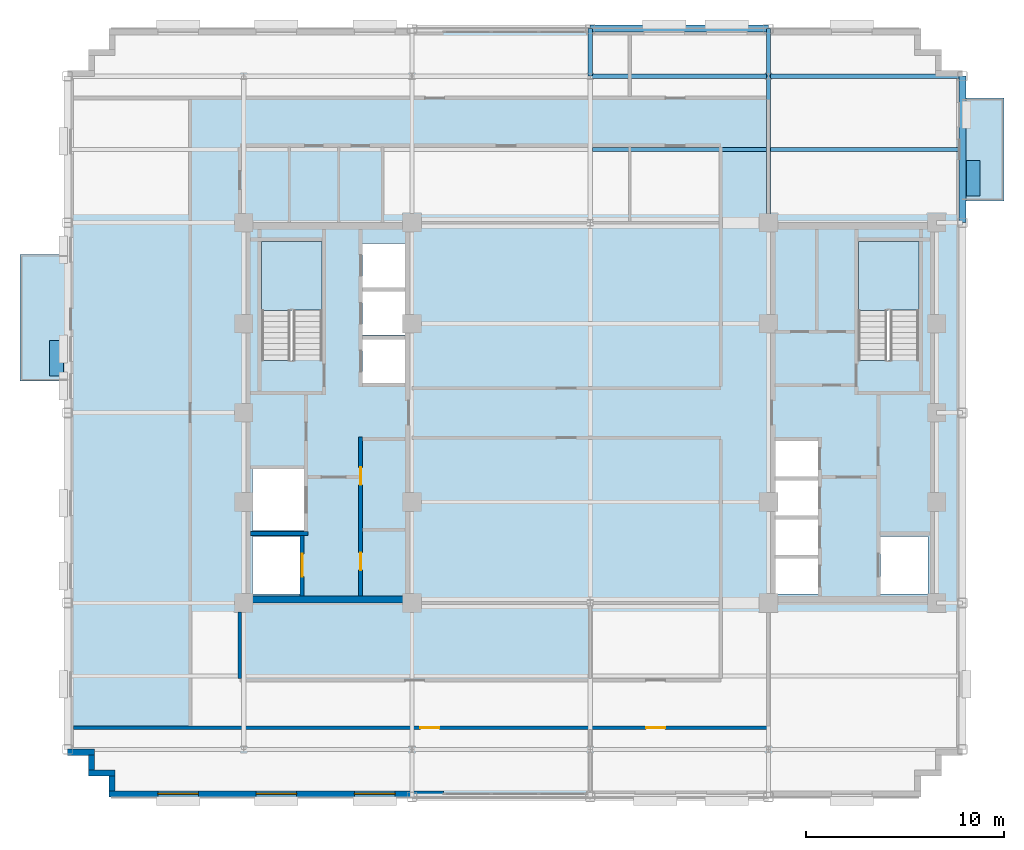
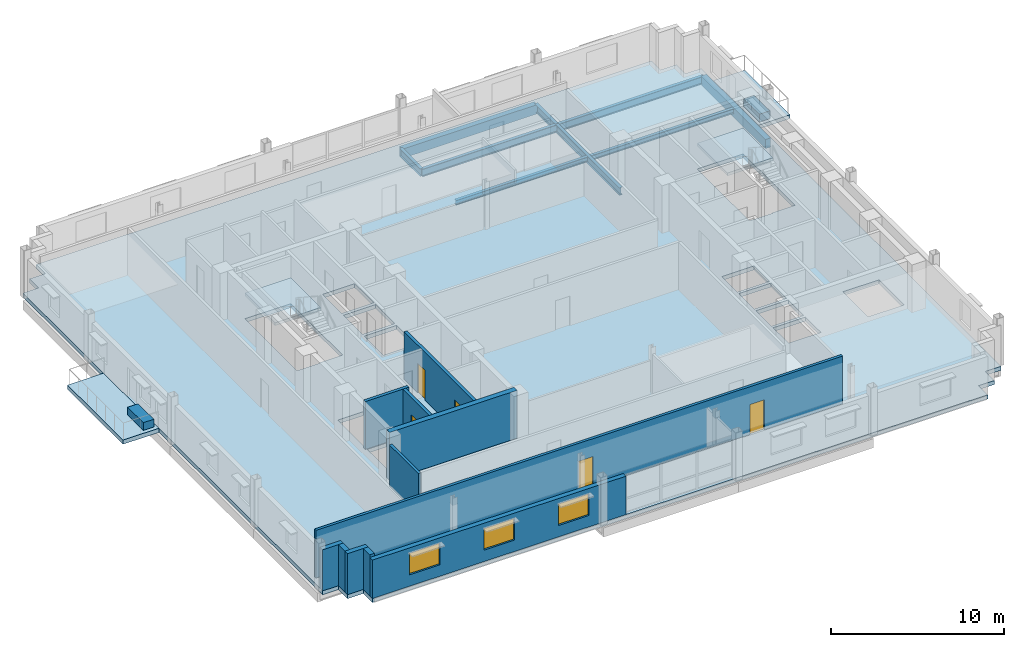
# One storey, part 5 of 15: 11 walls, 9 beams, 5 doors, 5 slabs, 3 windows, 2 plates, 8 openings, 2 elements without a shape of their own.
"""IFC4 building model written with IfcOpenShell, lengths in metres."""

from ifc_helpers import new_model, si_unit, direction, frame, frame_2d, origin, origin_2d, place, context, subcontext, project, spatial, polyline, rectangle, i_section, outline, extrude, source, transform, mapped, material, layer, layer_set, material_profile, profile_set, type_object, type_shapes, element, fill, aggregate, save


model = new_model("IFC4")

# Units and contexts
model_context = context("Model", 3, precision=1e-05, world=origin(), true_north=direction((0.0, 1.0)))
body_context = subcontext(model_context, "Body", "Model", "MODEL_VIEW")
ifc_project = project(units=[si_unit("LENGTHUNIT", "METRE"), si_unit("AREAUNIT", "SQUARE_METRE"), si_unit("VOLUMEUNIT", "CUBIC_METRE"), si_unit("PLANEANGLEUNIT", "RADIAN"), si_unit("MASSUNIT", "GRAM", prefix="KILO")], contexts=[model_context])

# Site, building, storey
site_placement = place(None, origin())
site = spatial("IfcSite", under=ifc_project, at=site_placement, CompositionType="ELEMENT")
building_placement = place(site_placement, origin())
building = spatial("IfcBuilding", under=site, at=building_placement, Name="Nuvemarco Arch Tower", CompositionType="ELEMENT")
storey_placement = place(building_placement, frame((0.0, 0.0, 223.75)))
storey = spatial("IfcBuildingStorey", under=building, at=storey_placement, Name="L59", CompositionType="ELEMENT", Elevation=223.75)

# Beams
ifc_material_1 = material(Name="Steel S355", Category="steel")
ifc_material_profile_1 = material_profile(ifc_material_1, i_section(OverallWidth=0.2109375, OverallDepth=0.5390625, WebThickness=0.01171875, FlangeThickness=0.018798828125, FilletRadius=0.01611328125, at=origin_2d()), Name="W530x109")
ifc_profile_set_1 = profile_set([ifc_material_profile_1], Name="Steel S355")
beam_type_1 = type_object("IfcBeamType", Name="BM-GIRD-530", PredefinedType="BEAM", material=ifc_profile_set_1)
beam_1_placement = place(storey_placement, frame((0.0, 17.0, -0.549560546875), z_axis=(0.0, 1.0, 0.0), x_axis=(-1.0, 0.0, 0.0)))
element("IfcBeam", 1, at=beam_1_placement, inside=storey, type_object=beam_type_1, Name="L59 structural beam BGNS_L59_0_+0.0_+17.0", PredefinedType="BEAM", context=body_context, shape_type="SweptSolid", body=[
    extrude(i_section(OverallWidth=0.2109375, OverallDepth=0.5390625, WebThickness=0.01171875, FlangeThickness=0.018798828125, FilletRadius=0.01611328125, at=origin_2d()), origin(), (0.0, 0.0, 1.0), 2.39990234375),
])
beam_2_placement = place(storey_placement, frame((9.0, 9.60009765625, -0.549560546875), z_axis=(0.0, 1.0, 0.0), x_axis=(-1.0, 0.0, 0.0)))
element("IfcBeam", 2, at=beam_2_placement, inside=storey, type_object=beam_type_1, Name="L59 structural beam BGNS_L59_0_+9.0_+9.6", PredefinedType="BEAM", context=body_context, shape_type="SweptSolid", body=[
    extrude(i_section(OverallWidth=0.2109375, OverallDepth=0.5390625, WebThickness=0.01171875, FlangeThickness=0.018798828125, FilletRadius=0.01611328125, at=origin_2d()), origin(), (0.0, 0.0, 1.0), 7.39990234375),
])
beam_3_placement = place(storey_placement, frame((9.0, 17.0, -0.549560546875), z_axis=(0.0, 1.0, 0.0), x_axis=(-1.0, 0.0, 0.0)))
element("IfcBeam", 3, at=beam_3_placement, inside=storey, type_object=beam_type_1, Name="L59 structural beam BGNS_L59_0_+9.0_+17.0", PredefinedType="BEAM", context=body_context, shape_type="SweptSolid", body=[
    extrude(i_section(OverallWidth=0.2109375, OverallDepth=0.5390625, WebThickness=0.01171875, FlangeThickness=0.018798828125, FilletRadius=0.01611328125, at=origin_2d()), origin(), (0.0, 0.0, 1.0), 2.39990234375),
])
beam_4_placement = place(storey_placement, frame((0.0, 17.0, -0.549560546875), z_axis=(1.0, 0.0, 0.0), x_axis=(0.0, 1.0, 0.0)))
element("IfcBeam", 4, at=beam_4_placement, inside=storey, type_object=beam_type_1, Name="L59 structural beam BGEW_L59_0_+17.0_+0.0", PredefinedType="BEAM", context=body_context, shape_type="SweptSolid", body=[
    extrude(i_section(OverallWidth=0.2109375, OverallDepth=0.5390625, WebThickness=0.01171875, FlangeThickness=0.018798828125, FilletRadius=0.01611328125, at=origin_2d()), origin(), (0.0, 0.0, 1.0), 9.0),
])
beam_5_placement = place(storey_placement, frame((9.0, 17.0, -0.549560546875), z_axis=(1.0, 0.0, 0.0), x_axis=(0.0, 1.0, 0.0)))
element("IfcBeam", 5, at=beam_5_placement, inside=storey, type_object=beam_type_1, Name="L59 structural beam BGEW_L59_0_+17.0_+9.0", PredefinedType="BEAM", context=body_context, shape_type="SweptSolid", body=[
    extrude(i_section(OverallWidth=0.2109375, OverallDepth=0.5390625, WebThickness=0.01171875, FlangeThickness=0.018798828125, FilletRadius=0.01611328125, at=origin_2d()), origin(), (0.0, 0.0, 1.0), 9.800048828125),
])
ifc_material_profile_2 = material_profile(ifc_material_1, i_section(OverallWidth=0.202880859375, OverallDepth=0.346923828125, WebThickness=0.0078125, FlangeThickness=0.013427734375, FilletRadius=0.014892578125, at=origin_2d()), Name="W360x64")
ifc_profile_set_2 = profile_set([ifc_material_profile_2], Name="Steel S355")
beam_type_2 = type_object("IfcBeamType", Name="BM-JOIST-360", PredefinedType="JOIST", material=ifc_profile_set_2)
beam_6_placement = place(storey_placement, frame((0.10546875, 13.300048828125, -0.45361328125), z_axis=(1.0, 0.0, 0.0), x_axis=(0.0, 1.0, 0.0)))
element("IfcBeam", 6, at=beam_6_placement, inside=storey, type_object=beam_type_2, Name="L59 structural beam BJ_L59_0_+13.3_+0.0", PredefinedType="JOIST", context=body_context, shape_type="SweptSolid", body=[
    extrude(i_section(OverallWidth=0.202880859375, OverallDepth=0.346923828125, WebThickness=0.0078125, FlangeThickness=0.013427734375, FilletRadius=0.014892578125, at=origin_2d()), origin(), (0.0, 0.0, 1.0), 8.7890625),
])
beam_7_placement = place(storey_placement, frame((9.10546875, 13.300048828125, -0.45361328125), z_axis=(1.0, 0.0, 0.0), x_axis=(0.0, 1.0, 0.0)))
element("IfcBeam", 7, at=beam_7_placement, inside=storey, type_object=beam_type_2, Name="L59 structural beam BJ_L59_0_+13.3_+9.0", PredefinedType="JOIST", context=body_context, shape_type="SweptSolid", body=[
    extrude(i_section(OverallWidth=0.202880859375, OverallDepth=0.346923828125, WebThickness=0.0078125, FlangeThickness=0.013427734375, FilletRadius=0.014892578125, at=origin_2d()), origin(), (0.0, 0.0, 1.0), 9.51953125),
])
ifc_material_2 = material(Name="Precast concrete C45/55", Category="concrete")
ifc_material_profile_3 = material_profile(ifc_material_2, rectangle(XDim=0.35009765625, YDim=0.64990234375, at=origin_2d()), Name="PC-SP-350x650")
ifc_profile_set_3 = profile_set([ifc_material_profile_3], Name="Precast concrete C45/55")
beam_type_3 = type_object("IfcBeamType", Name="BM-SPAN-RC", PredefinedType="SPANDREL", material=ifc_profile_set_3)
beam_8_placement = place(storey_placement, frame((18.800048828125, 9.60009765625, -0.60498046875), z_axis=(0.0, 1.0, 0.0), x_axis=(-1.0, 0.0, 0.0)))
element("IfcBeam", 8, at=beam_8_placement, inside=storey, type_object=beam_type_3, Name="L59 structural beam BGNS_L59_0_+18.8_+9.6", PredefinedType="SPANDREL", context=body_context, shape_type="SweptSolid", body=[
    extrude(rectangle(XDim=0.35009765625, YDim=0.64990234375, at=origin_2d()), origin(), (0.0, 0.0, 1.0), 7.39990234375),
])
beam_9_placement = place(storey_placement, frame((0.0, 19.39990234375, -0.60498046875), z_axis=(1.0, 0.0, 0.0), x_axis=(0.0, 1.0, 0.0)))
element("IfcBeam", 9, at=beam_9_placement, inside=storey, type_object=beam_type_3, Name="L59 structural beam BGEW_L59_0_+19.4_+0.0", PredefinedType="SPANDREL", context=body_context, shape_type="SweptSolid", body=[
    extrude(rectangle(XDim=0.35009765625, YDim=0.64990234375, at=origin_2d()), origin(), (0.0, 0.0, 1.0), 9.0),
])

# Slab
ifc_material_3 = material(Name="Concrete C50/60", Category="concrete")
ifc_layer_1 = layer(ifc_material_3, 0.280029296875, Name="SL-FLR-280")
ifc_layer_set_1 = layer_set([ifc_layer_1], Name="Concrete C50/60")
slab_type_1 = type_object("IfcSlabType", Name="SL-FLR-280", PredefinedType="FLOOR", material=ifc_layer_set_1)
slab_1_placement = place(storey_placement, frame((0.0, 0.0, -0.280029296875)))
element("IfcSlab", 10, at=slab_1_placement, inside=storey, type_object=slab_type_1, Name="L59 structural floor slab", PredefinedType="FLOOR", context=body_context, shape_type="SweptSolid", body=[
    extrude(outline(polyline([(-24.300048828125, -19.39990234375), (16.699951171875, -19.39990234375), (16.699951171875, -18.35009765625), (17.75, -18.35009765625), (17.75, -17.300048828125), (18.800048828125, -17.300048828125), (18.800048828125, 17.300048828125), (17.75, 17.300048828125), (17.75, 18.35009765625), (16.699951171875, 18.35009765625), (16.699951171875, 19.39990234375), (-24.300048828125, 19.39990234375), (-24.300048828125, 18.35009765625), (-25.35009765625, 18.35009765625), (-25.35009765625, 17.300048828125), (-26.39990234375, 17.300048828125), (-26.39990234375, -17.300048828125), (-25.35009765625, -17.300048828125), (-25.35009765625, -18.35009765625), (-24.300048828125, -18.35009765625), (-24.300048828125, -19.39990234375)]), holes=[polyline([(-13.5400390625, 2.669921875), (-13.5400390625, 8.64990234375), (-16.60009765625, 8.64990234375), (-16.60009765625, 2.630615234375), (-15.070068359375, 2.630615234375), (-15.070068359375, 2.669921875), (-13.5400390625, 2.669921875)]), polyline([(16.60009765625, 2.669921875), (16.60009765625, 8.64990234375), (13.5400390625, 8.64990234375), (13.5400390625, 2.630615234375), (15.070068359375, 2.630615234375), (15.070068359375, 2.669921875), (16.60009765625, 2.669921875)]), polyline([(-17.050048828125, -9.14990234375), (-14.64990234375, -9.14990234375), (-14.64990234375, -6.25), (-17.050048828125, -6.25), (-17.050048828125, -9.14990234375)]), polyline([(-17.050048828125, -5.949951171875), (-14.449951171875, -5.949951171875), (-14.449951171875, -2.85009765625), (-17.050048828125, -2.85009765625), (-17.050048828125, -5.949951171875)]), polyline([(-11.5, 1.5), (-9.35009765625, 1.5), (-9.35009765625, 3.699951171875), (-11.5, 3.699951171875), (-11.5, 1.5)]), polyline([(-11.5, 3.919921875), (-9.35009765625, 3.919921875), (-9.35009765625, 6.1201171875), (-11.5, 6.1201171875), (-11.5, 3.919921875)]), polyline([(-11.5, 6.340087890625), (-9.35009765625, 6.340087890625), (-9.35009765625, 8.5400390625), (-11.5, 8.5400390625), (-11.5, 6.340087890625)]), polyline([(14.64990234375, -9.14990234375), (17.050048828125, -9.14990234375), (17.050048828125, -6.25), (14.64990234375, -6.25), (14.64990234375, -9.14990234375)]), polyline([(9.35009765625, -9.14990234375), (11.5, -9.14990234375), (11.5, -7.3701171875), (9.35009765625, -7.3701171875), (9.35009765625, -9.14990234375)]), polyline([(9.35009765625, -7.169921875), (11.5, -7.169921875), (11.5, -5.389892578125), (9.35009765625, -5.389892578125), (9.35009765625, -7.169921875)]), polyline([(9.35009765625, -5.18994140625), (11.5, -5.18994140625), (11.5, -3.409912109375), (9.35009765625, -3.409912109375), (9.35009765625, -5.18994140625)]), polyline([(9.35009765625, -3.2099609375), (11.5, -3.2099609375), (11.5, -1.429931640625), (9.35009765625, -1.429931640625), (9.35009765625, -3.2099609375)])]), origin(), (0.0, 0.0, 1.0), 0.280029296875),
])

# Stair, slab
stair_type = type_object("IfcStairType", Name="ST-CORE-20R", PredefinedType="HALF_TURN_STAIR", material=ifc_material_2)
stair_1_placement = place(storey_placement, origin())
stair_1 = element("IfcStair", 11, at=stair_1_placement, inside=storey, type_object=stair_type, Name="L59 Protected Exit Stair ST-1", PredefinedType="HALF_TURN_STAIR")
ifc_layer_2 = layer(ifc_material_2, 0.199951171875, Name="SL-LANDING-200")
ifc_layer_set_2 = layer_set([ifc_layer_2], Name="Precast concrete C45/55")
slab_type_2 = type_object("IfcSlabType", Name="SL-LANDING-200", PredefinedType="LANDING", material=ifc_layer_set_2)
slab_2_placement = place(storey_placement, frame((0.0, 0.0, 1.625)))
slab_2 = element("IfcSlab", 12, at=slab_2_placement, type_object=slab_type_2, Name="ST-20R landing 1", PredefinedType="LANDING", context=body_context, shape_type="SweptSolid", body=[
    extrude(outline(polyline([(-13.5400390625, 5.189453125), (-13.5400390625, 8.64990234375), (-16.60009765625, 8.64990234375), (-16.60009765625, 5.169921875), (-15.070068359375, 5.169921875), (-15.070068359375, 5.189453125), (-13.5400390625, 5.189453125)])), origin(), (0.0, 0.0, 1.0), 0.199951171875),
])
aggregate(stair_1, [slab_2])

stair_2_placement = place(storey_placement, origin())
stair_2 = element("IfcStair", 13, at=stair_2_placement, inside=storey, type_object=stair_type, Name="L59 Protected Exit Stair ST-2", PredefinedType="HALF_TURN_STAIR")
slab_3_placement = place(storey_placement, frame((0.0, 0.0, 1.625)))
slab_3 = element("IfcSlab", 14, at=slab_3_placement, type_object=slab_type_2, Name="ST-20R landing 1", PredefinedType="LANDING", context=body_context, shape_type="SweptSolid", body=[
    extrude(outline(polyline([(16.60009765625, 5.189453125), (16.60009765625, 8.64990234375), (13.5400390625, 8.64990234375), (13.5400390625, 5.169921875), (15.070068359375, 5.169921875), (15.070068359375, 5.189453125), (16.60009765625, 5.189453125)])), origin(), (0.0, 0.0, 1.0), 0.199951171875),
])
aggregate(stair_2, [slab_3])

# Slabs
ifc_layer_3 = layer(ifc_material_3, 0.264892578125, Name="SL-TB1")
ifc_layer_set_3 = layer_set([ifc_layer_3], Name="Concrete C50/60")
slab_type_3 = type_object("IfcSlabType", Name="SL-TB1", PredefinedType="FLOOR", material=ifc_layer_set_3)
slab_4_placement = place(storey_placement, frame((0.0, 0.0, -0.264892578125)))
element("IfcSlab", 15, at=slab_4_placement, inside=storey, type_object=slab_type_3, Name="L59 outdoor tree balcony slab 2", PredefinedType="FLOOR", context=body_context, shape_type="SweptSolid", body=[
    extrude(outline(polyline([(18.800048828125, 10.699951171875), (20.89990234375, 10.699951171875), (20.89990234375, 15.89990234375), (18.800048828125, 15.89990234375), (18.800048828125, 10.699951171875)])), origin(), (0.0, 0.0, 1.0), 0.264892578125),
])
ifc_layer_4 = layer(ifc_material_3, 0.294921875, Name="SL-TR4")
ifc_layer_set_4 = layer_set([ifc_layer_4], Name="Concrete C50/60")
slab_type_4 = type_object("IfcSlabType", Name="SL-TR4", PredefinedType="FLOOR", material=ifc_layer_set_4)
slab_5_placement = place(storey_placement, frame((0.0, 0.0, -0.294921875)))
element("IfcSlab", 16, at=slab_5_placement, inside=storey, type_object=slab_type_4, Name="L59 outdoor spiral terrace slab 1", PredefinedType="FLOOR", context=body_context, shape_type="SweptSolid", body=[
    extrude(outline(polyline([(-28.800048828125, 1.60009765625), (-26.39990234375, 1.60009765625), (-26.39990234375, 8.0), (-28.800048828125, 8.0), (-28.800048828125, 1.60009765625)])), origin(), (0.0, 0.0, 1.0), 0.294921875),
])

# Plates
ifc_layer_5 = layer(ifc_material_2, 0.550048828125, Name="Tree Balcony Structural Planter")
ifc_layer_set_5 = layer_set([ifc_layer_5], Name="Precast concrete C45/55")
plate_type = type_object("IfcPlateType", Name="Tree Balcony Structural Planter", PredefinedType="USERDEFINED", material=ifc_layer_set_5)
shared_shape_1 = source(origin(), body_context, "Body", "SweptSolid", [
    extrude(rectangle(XDim=1.800048828125, YDim=0.699951171875, at=origin_2d()), origin(), (0.0, 0.0, 1.0), 0.550048828125),
])
type_shapes(plate_type, [shared_shape_1])
for number, where, z_axis, x_axis, name in (
    (17, (-26.949951171875, 2.75, 0.0), (0.0, 0.0, 1.0), (0.0, 1.0, 0.0), "L59 Tree Balcony Structural Planter"),
    (18, (19.35009765625, 11.85009765625, 0.0), (0.0, 0.0, 1.0), (0.0, 1.0, 0.0), "L59 Tree Balcony Structural Planter"),
):
    element("IfcPlate", number, at=place(storey_placement, frame(where, z_axis=z_axis, x_axis=x_axis)), inside=storey, type_object=plate_type, Name=name, ObjectType="PLANTER", PredefinedType="USERDEFINED", context=body_context, shape_type="MappedRepresentation", body=[
        mapped(shared_shape_1, transform((0.0, 0.0, 0.0), scale=1.0)),
    ])

# Wall, openings, windows
ifc_layer_6 = layer(ifc_material_2, 0.31005859375, Name="EW-UPP-310")
ifc_layer_set_6 = layer_set([ifc_layer_6], Name="Precast concrete C45/55")
wall_type_1 = type_object("IfcWallType", Name="EW-UPP-310", PredefinedType="STANDARD", material=ifc_layer_set_6)
wall_1_placement = place(storey_placement, frame((-24.300048828125, -19.2451171875, 0.0), z_axis=(0.0, 0.0, 1.0), x_axis=(1.0, 0.0, 0.0)))
wall_1 = element("IfcWall", 19, at=wall_1_placement, inside=storey, type_object=wall_type_1, Name="L59 exterior precast pier wall south left", PredefinedType="STANDARD", context=body_context, shape_type="SweptSolid", body=[
    extrude(rectangle(XDim=16.900146484375, YDim=0.31005859375, at=frame_2d((8.4501953125, 0.0))), origin(), (0.0, 0.0, 1.0), 2.705078125),
])
opening_1_placement = place(wall_1_placement, frame((2.458251953125, 0.0, 0.800048828125)))
opening_1 = element("IfcOpeningElement", 20, at=opening_1_placement, cuts=wall_1, Name="Opening WN-12", PredefinedType="OPENING", context=body_context, shape_type="SweptSolid", body=[
    extrude(rectangle(XDim=2.050048828125, YDim=1.52001953125, at=frame_2d((1.02490234375, 0.760009765625))), frame((0.0, 0.1650390625, 0.0), z_axis=(0.0, -1.0, 0.0), x_axis=(1.0, 0.0, 0.0)), (0.0, 0.0, 1.0), 0.330078125),
])
opening_2_placement = place(wall_1_placement, frame((7.425048828125, 0.0, 0.800048828125)))
opening_2 = element("IfcOpeningElement", 21, at=opening_2_placement, cuts=wall_1, Name="Opening WN-12", PredefinedType="OPENING", context=body_context, shape_type="SweptSolid", body=[
    extrude(rectangle(XDim=2.050048828125, YDim=1.52001953125, at=frame_2d((1.02490234375, 0.760009765625))), frame((0.0, 0.1650390625, 0.0), z_axis=(0.0, -1.0, 0.0), x_axis=(1.0, 0.0, 0.0)), (0.0, 0.0, 1.0), 0.330078125),
])
opening_3_placement = place(wall_1_placement, frame((12.3916015625, 0.0, 0.800048828125)))
opening_3 = element("IfcOpeningElement", 22, at=opening_3_placement, cuts=wall_1, Name="Opening WN-12", PredefinedType="OPENING", context=body_context, shape_type="SweptSolid", body=[
    extrude(rectangle(XDim=2.050048828125, YDim=1.52001953125, at=frame_2d((1.02490234375, 0.760009765625))), frame((0.0, 0.1650390625, 0.0), z_axis=(0.0, -1.0, 0.0), x_axis=(1.0, 0.0, 0.0)), (0.0, 0.0, 1.0), 0.330078125),
])
ifc_material_4 = material(Name="Insulated solar-control glass", Category="glass")
window_type = type_object("IfcWindowType", Name="WN-SET-2050x1520", PartitioningType="DOUBLE_PANEL_VERTICAL", PredefinedType="WINDOW", material=ifc_material_4)
shared_shape_2 = source(origin(), body_context, "Body", "SweptSolid", [
    extrude(rectangle(XDim=2.050048828125, YDim=1.52001953125, at=frame_2d((1.02490234375, 0.760009765625))), frame((0.0, 0.030029296875, 0.0), z_axis=(0.0, -1.0, 0.0), x_axis=(1.0, 0.0, 0.0)), (0.0, 0.0, 1.0), 0.06005859375),
])
type_shapes(window_type, [shared_shape_2])
window_1_placement = place(opening_1_placement, origin())
window_1 = element("IfcWindow", 23, at=window_1_placement, inside=storey, type_object=window_type, Name="L59 punched facade window 1", OverallHeight=1.52001953125, OverallWidth=2.050048828125, PartitioningType="SINGLE_PANEL", PredefinedType="WINDOW", context=body_context, shape_type="MappedRepresentation", body=[
    mapped(shared_shape_2, transform((0.0, 0.0, 0.0), scale=1.0)),
])
fill(opening_1, window_1)
window_2_placement = place(opening_2_placement, origin())
window_2 = element("IfcWindow", 24, at=window_2_placement, inside=storey, type_object=window_type, Name="L59 punched facade window 2", OverallHeight=1.52001953125, OverallWidth=2.050048828125, PartitioningType="SINGLE_PANEL", PredefinedType="WINDOW", context=body_context, shape_type="MappedRepresentation", body=[
    mapped(shared_shape_2, transform((0.0, 0.0, 0.0), scale=1.0)),
])
fill(opening_2, window_2)
window_3_placement = place(opening_3_placement, origin())
window_3 = element("IfcWindow", 25, at=window_3_placement, inside=storey, type_object=window_type, Name="L59 punched facade window 3", OverallHeight=1.52001953125, OverallWidth=2.050048828125, PartitioningType="SINGLE_PANEL", PredefinedType="WINDOW", context=body_context, shape_type="MappedRepresentation", body=[
    mapped(shared_shape_2, transform((0.0, 0.0, 0.0), scale=1.0)),
])
fill(opening_3, window_3)

# Walls
wall_2_placement = place(storey_placement, frame((-26.39990234375, -17.14501953125, 0.0), z_axis=(0.0, 0.0, 1.0), x_axis=(1.0, 0.0, 0.0)))
element("IfcWall", 26, at=wall_2_placement, inside=storey, type_object=wall_type_1, Name="L59 exterior precast facade wall 17", PredefinedType="STANDARD", context=body_context, shape_type="SweptSolid", body=[
    extrude(rectangle(XDim=1.35986328125, YDim=0.31005859375, at=frame_2d((0.679931640625, 0.0))), origin(), (0.0, 0.0, 1.0), 2.89208984375),
])
wall_3_placement = place(storey_placement, frame((-25.195068359375, -18.0439453125, 0.0), z_axis=(0.0, 0.0, 1.0), x_axis=(0.0, 1.0, 0.0)))
element("IfcWall", 27, at=wall_3_placement, inside=storey, type_object=wall_type_1, Name="L59 exterior precast facade wall 18", PredefinedType="STANDARD", context=body_context, shape_type="SweptSolid", body=[
    extrude(rectangle(XDim=0.748046875, YDim=0.31005859375, at=frame_2d((0.3740234375, 0.0))), origin(), (0.0, 0.0, 1.0), 2.89208984375),
])
wall_4_placement = place(storey_placement, frame((-25.35009765625, -18.195068359375, 0.0), z_axis=(0.0, 0.0, 1.0), x_axis=(1.0, 0.0, 0.0)))
element("IfcWall", 28, at=wall_4_placement, inside=storey, type_object=wall_type_1, Name="L59 exterior precast facade wall 19", PredefinedType="STANDARD", context=body_context, shape_type="SweptSolid", body=[
    extrude(rectangle(XDim=1.360107421875, YDim=0.31005859375, at=frame_2d((0.68017578125, 0.0))), origin(), (0.0, 0.0, 1.0), 2.89208984375),
])
wall_5_placement = place(storey_placement, frame((-24.14501953125, -19.093994140625, 0.0), z_axis=(0.0, 0.0, 1.0), x_axis=(0.0, 1.0, 0.0)))
element("IfcWall", 29, at=wall_5_placement, inside=storey, type_object=wall_type_1, Name="L59 exterior precast facade wall 20", PredefinedType="STANDARD", context=body_context, shape_type="SweptSolid", body=[
    extrude(rectangle(XDim=0.748046875, YDim=0.31005859375, at=frame_2d((0.3740234375, 0.0))), origin(), (0.0, 0.0, 1.0), 2.89208984375),
])
ifc_layer_7 = layer(ifc_material_3, 0.35009765625, Name="WL-CORE-350")
ifc_layer_set_7 = layer_set([ifc_layer_7], Name="Concrete C50/60")
wall_type_2 = type_object("IfcWallType", Name="WL-CORE-350", PredefinedType="SHEAR", material=ifc_layer_set_7)
wall_6_placement = place(storey_placement, frame((-17.5, -9.425048828125, 0.0), z_axis=(0.0, 0.0, 1.0), x_axis=(1.0, 0.0, 0.0)))
element("IfcWall", 30, at=wall_6_placement, inside=storey, type_object=wall_type_2, Name="L59 W-core shear wall S", PredefinedType="SHEAR", context=body_context, shape_type="SweptSolid", body=[
    extrude(rectangle(XDim=8.5, YDim=0.35009765625, at=frame_2d((4.25, 0.0))), origin(), (0.0, 0.0, 1.0), 3.3701171875),
])

# Wall, openings, doors
ifc_material_5 = material(Name="Fire-rated gypsum drywall partition")
ifc_layer_8 = layer(ifc_material_5, 0.179931640625, Name="WL-CORR-180")
ifc_layer_set_8 = layer_set([ifc_layer_8], Name="Fire-rated gypsum drywall partition")
wall_type_3 = type_object("IfcWallType", Name="WL-CORR-180", PredefinedType="PARTITIONING", material=ifc_layer_set_8)
wall_7_placement = place(storey_placement, frame((-26.090087890625, -15.89990234375, 0.0), z_axis=(0.0, 0.0, 1.0), x_axis=(1.0, 0.0, 0.0)))
wall_7 = element("IfcWall", 31, at=wall_7_placement, inside=storey, type_object=wall_type_3, Name="L59 interior wall IW-L59-001", PredefinedType="PARTITIONING", context=body_context, shape_type="SweptSolid", body=[
    extrude(rectangle(XDim=35.090087890625, YDim=0.179931640625, at=frame_2d((17.544921875, 0.0))), origin(), (0.0, 0.0, 1.0), 3.360107421875),
])
opening_4_placement = place(wall_7_placement, frame((17.510009765625, 0.0, 0.0)))
opening_4 = element("IfcOpeningElement", 32, at=opening_4_placement, cuts=wall_7, Name="Opening FD-5", PredefinedType="OPENING", context=body_context, shape_type="SweptSolid", body=[
    extrude(rectangle(XDim=0.9599609375, YDim=2.10009765625, at=frame_2d((0.47998046875, 1.050048828125))), frame((0.0, 0.099853515625, 0.0), z_axis=(0.0, -1.0, 0.0), x_axis=(1.0, 0.0, 0.0)), (0.0, 0.0, 1.0), 0.199951171875),
])
opening_5_placement = place(wall_7_placement, frame((28.909912109375, 0.0, 0.0)))
opening_5 = element("IfcOpeningElement", 33, at=opening_5_placement, cuts=wall_7, Name="Opening FD-5", PredefinedType="OPENING", context=body_context, shape_type="SweptSolid", body=[
    extrude(rectangle(XDim=0.9599609375, YDim=2.10009765625, at=frame_2d((0.47998046875, 1.050048828125))), frame((0.0, 0.099853515625, 0.0), z_axis=(0.0, -1.0, 0.0), x_axis=(1.0, 0.0, 0.0)), (0.0, 0.0, 1.0), 0.199951171875),
])
ifc_material_6 = material(Name="Timber fire door", Category="wood")
door_type_1 = type_object("IfcDoorType", Name="DR-CORR-FD", OperationType="NOTDEFINED", PredefinedType="DOOR", material=ifc_material_6)
shared_shape_3 = source(origin(), body_context, "Body", "SweptSolid", [
    extrude(rectangle(XDim=0.9599609375, YDim=2.10009765625, at=frame_2d((0.47998046875, 1.050048828125))), frame((0.0, 0.02490234375, 0.0), z_axis=(0.0, -1.0, 0.0), x_axis=(1.0, 0.0, 0.0)), (0.0, 0.0, 1.0), 0.050048828125),
])
type_shapes(door_type_1, [shared_shape_3])
door_1_placement = place(opening_4_placement, origin())
door_1 = element("IfcDoor", 34, at=door_1_placement, inside=storey, type_object=door_type_1, Name="L59 door DR-L59-SKY_LOUNGE", OperationType="SINGLE_SWING_LEFT", OverallHeight=2.10009765625, OverallWidth=0.9599609375, PredefinedType="DOOR", context=body_context, shape_type="MappedRepresentation", body=[
    mapped(shared_shape_3, transform((0.0, 0.0, 0.0), scale=1.0)),
])
fill(opening_4, door_1)
door_2_placement = place(opening_5_placement, origin())
door_2 = element("IfcDoor", 35, at=door_2_placement, inside=storey, type_object=door_type_1, Name="L59 door DR-L59-SKY_CONF", OperationType="SINGLE_SWING_RIGHT", OverallHeight=2.10009765625, OverallWidth=0.9599609375, PredefinedType="DOOR", context=body_context, shape_type="MappedRepresentation", body=[
    mapped(shared_shape_3, transform((0.0, 0.0, 0.0), scale=1.0)),
])
fill(opening_5, door_2)

# Wall
wall_8_placement = place(storey_placement, frame((-17.699951171875, -13.4140625, 0.0), z_axis=(0.0, 0.0, 1.0), x_axis=(0.0, 1.0, 0.0)))
element("IfcWall", 36, at=wall_8_placement, inside=storey, type_object=wall_type_3, Name="L59 interior wall IW-L59-012", PredefinedType="PARTITIONING", context=body_context, shape_type="SweptSolid", body=[
    extrude(rectangle(XDim=3.343017578125, YDim=0.179931640625, at=frame_2d((1.67138671875, 0.0))), origin(), (0.0, 0.0, 1.0), 2.89208984375),
])

# Wall, opening, door
ifc_layer_9 = layer(ifc_material_3, 0.199951171875, Name="WL-SHAFT-220")
ifc_layer_set_9 = layer_set([ifc_layer_9], Name="Concrete C50/60")
wall_type_4 = type_object("IfcWallType", Name="WL-SHAFT-220", PredefinedType="SHEAR", material=ifc_layer_set_9)
wall_9_placement = place(storey_placement, frame((-14.550048828125, -9.2548828125, 0.0), z_axis=(0.0, 0.0, 1.0), x_axis=(0.0, 1.0, 0.0)))
wall_9 = element("IfcWall", 37, at=wall_9_placement, inside=storey, type_object=wall_type_4, Name="L59 structural shaft wall SW-L59-W-SHE", PredefinedType="SHEAR", context=body_context, shape_type="SweptSolid", body=[
    extrude(rectangle(XDim=3.059814453125, YDim=0.199951171875, at=frame_2d((1.52978515625, 0.0))), origin(), (0.0, 0.0, 1.0), 3.3701171875),
])
opening_6_placement = place(wall_9_placement, frame((0.97998046875, 0.0, 0.0)))
opening_6 = element("IfcOpeningElement", 38, at=opening_6_placement, cuts=wall_9, Name="Opening LD-2", PredefinedType="OPENING", context=body_context, shape_type="SweptSolid", body=[
    extrude(rectangle(XDim=1.14990234375, YDim=2.14990234375, at=frame_2d((0.574951171875, 1.074951171875))), frame((0.0, 0.10986328125, 0.0), z_axis=(0.0, -1.0, 0.0), x_axis=(1.0, 0.0, 0.0)), (0.0, 0.0, 1.0), 0.219970703125),
])
ifc_material_7 = material(Name="Stainless steel lift door", Category="steel")
door_type_2 = type_object("IfcDoorType", Name="DR-LIFT-FIRE", OperationType="DOUBLE_DOOR_SLIDING", PredefinedType="DOOR", material=ifc_material_7)
shared_shape_4 = source(origin(), body_context, "Body", "SweptSolid", [
    extrude(rectangle(XDim=1.14990234375, YDim=2.14990234375, at=frame_2d((0.574951171875, 1.074951171875))), frame((0.0, 0.02490234375, 0.0), z_axis=(0.0, -1.0, 0.0), x_axis=(1.0, 0.0, 0.0)), (0.0, 0.0, 1.0), 0.050048828125),
])
type_shapes(door_type_2, [shared_shape_4])
door_3_placement = place(opening_6_placement, origin())
door_3 = element("IfcDoor", 39, at=door_3_placement, inside=storey, type_object=door_type_2, Name="L59 Lift landing sliding door FFL-1", OperationType="DOUBLE_DOOR_SLIDING", OverallHeight=2.14990234375, OverallWidth=1.14990234375, PredefinedType="DOOR", context=body_context, shape_type="MappedRepresentation", body=[
    mapped(shared_shape_4, transform((0.0, 0.0, 0.0), scale=1.0)),
])
fill(opening_6, door_3)

# Wall
wall_10_placement = place(storey_placement, frame((-17.155029296875, -6.10009765625, 0.0), z_axis=(0.0, 0.0, 1.0), x_axis=(1.0, 0.0, 0.0)))
element("IfcWall", 40, at=wall_10_placement, inside=storey, type_object=wall_type_4, Name="L59 structural shaft wall SW-L59-W-SH1", PredefinedType="SHEAR", context=body_context, shape_type="SweptSolid", body=[
    extrude(rectangle(XDim=2.905029296875, YDim=0.199951171875, at=frame_2d((1.45263671875, 0.0))), origin(), (0.0, 0.0, 1.0), 3.3701171875),
])

# Wall, openings, doors
wall_11_placement = place(storey_placement, frame((-11.60009765625, -9.2548828125, 0.0), z_axis=(0.0, 0.0, 1.0), x_axis=(0.0, 1.0, 0.0)))
wall_11 = element("IfcWall", 41, at=wall_11_placement, inside=storey, type_object=wall_type_4, Name="L59 structural shaft wall SW-L59-W-PLW", PredefinedType="SHEAR", context=body_context, shape_type="SweptSolid", body=[
    extrude(rectangle(XDim=8.02490234375, YDim=0.199951171875, at=frame_2d((4.012451171875, 0.0))), origin(), (0.0, 0.0, 1.0), 3.3701171875),
])
opening_7_placement = place(wall_11_placement, frame((1.31494140625, 0.0, 0.0)))
opening_7 = element("IfcOpeningElement", 42, at=opening_7_placement, cuts=wall_11, Name="Opening FD-4", PredefinedType="OPENING", context=body_context, shape_type="SweptSolid", body=[
    extrude(rectangle(XDim=0.8798828125, YDim=2.10009765625, at=frame_2d((0.43994140625, 1.050048828125))), frame((0.0, 0.10986328125, 0.0), z_axis=(0.0, -1.0, 0.0), x_axis=(1.0, 0.0, 0.0)), (0.0, 0.0, 1.0), 0.219970703125),
])
opening_8_placement = place(wall_11_placement, frame((5.614990234375, 0.0, 0.0)))
opening_8 = element("IfcOpeningElement", 43, at=opening_8_placement, cuts=wall_11, Name="Opening FD-4", PredefinedType="OPENING", context=body_context, shape_type="SweptSolid", body=[
    extrude(rectangle(XDim=0.8798828125, YDim=2.10009765625, at=frame_2d((0.43994140625, 1.050048828125))), frame((0.0, 0.10986328125, 0.0), z_axis=(0.0, -1.0, 0.0), x_axis=(1.0, 0.0, 0.0)), (0.0, 0.0, 1.0), 0.219970703125),
])
ifc_material_8 = material(Name="Anodised steel fire door", Category="steel")
door_type_3 = type_object("IfcDoorType", Name="DR-RISER-FD", OperationType="NOTDEFINED", PredefinedType="DOOR", material=ifc_material_8)
shared_shape_5 = source(origin(), body_context, "Body", "SweptSolid", [
    extrude(rectangle(XDim=0.8798828125, YDim=2.10009765625, at=frame_2d((0.43994140625, 1.050048828125))), frame((0.0, 0.02490234375, 0.0), z_axis=(0.0, -1.0, 0.0), x_axis=(1.0, 0.0, 0.0)), (0.0, 0.0, 1.0), 0.050048828125),
])
type_shapes(door_type_3, [shared_shape_5])
door_4_placement = place(opening_7_placement, origin())
door_4 = element("IfcDoor", 44, at=door_4_placement, inside=storey, type_object=door_type_3, Name="L59 door FD-L59-WREC1", OperationType="SINGLE_SWING_RIGHT", OverallHeight=2.10009765625, OverallWidth=0.8798828125, PredefinedType="DOOR", context=body_context, shape_type="MappedRepresentation", body=[
    mapped(shared_shape_5, transform((0.0, 0.0, 0.0), scale=1.0)),
])
fill(opening_7, door_4)
door_5_placement = place(opening_8_placement, origin())
door_5 = element("IfcDoor", 45, at=door_5_placement, inside=storey, type_object=door_type_3, Name="L59 door FD-L59-WREC2", OperationType="SINGLE_SWING_LEFT", OverallHeight=2.10009765625, OverallWidth=0.8798828125, PredefinedType="DOOR", context=body_context, shape_type="MappedRepresentation", body=[
    mapped(shared_shape_5, transform((0.0, 0.0, 0.0), scale=1.0)),
])
fill(opening_8, door_5)

save(model, "model.ifc")
